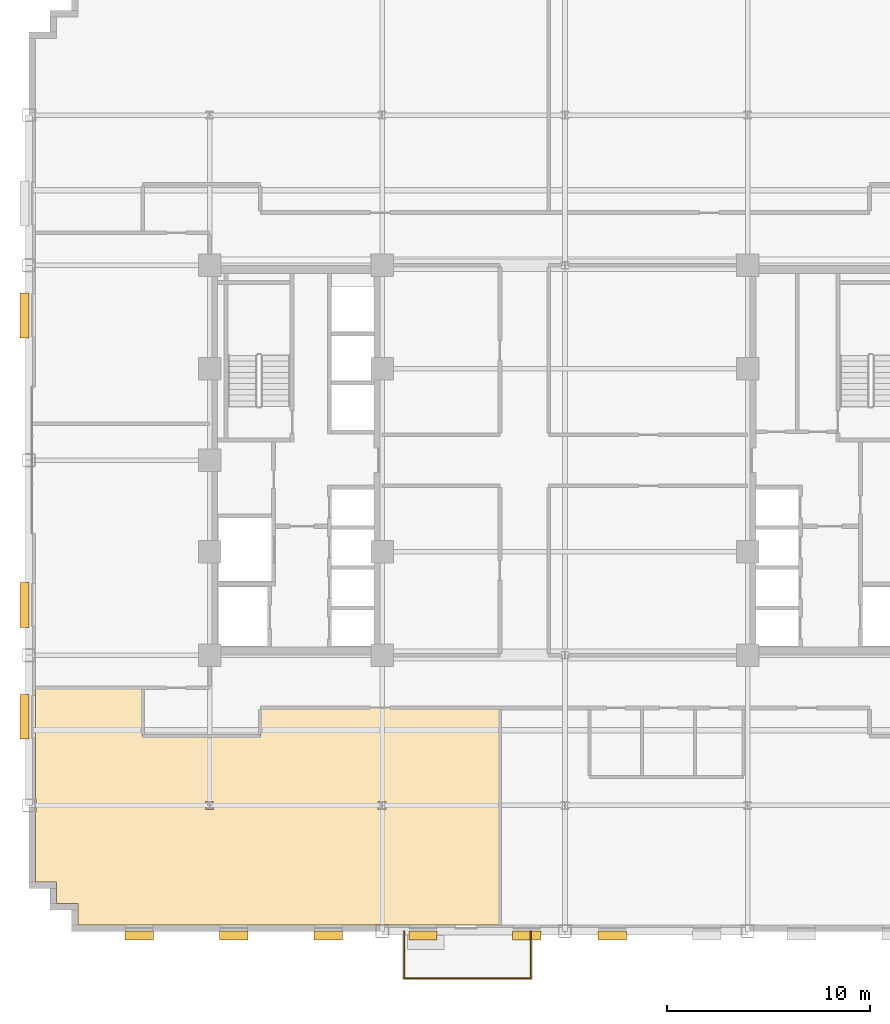
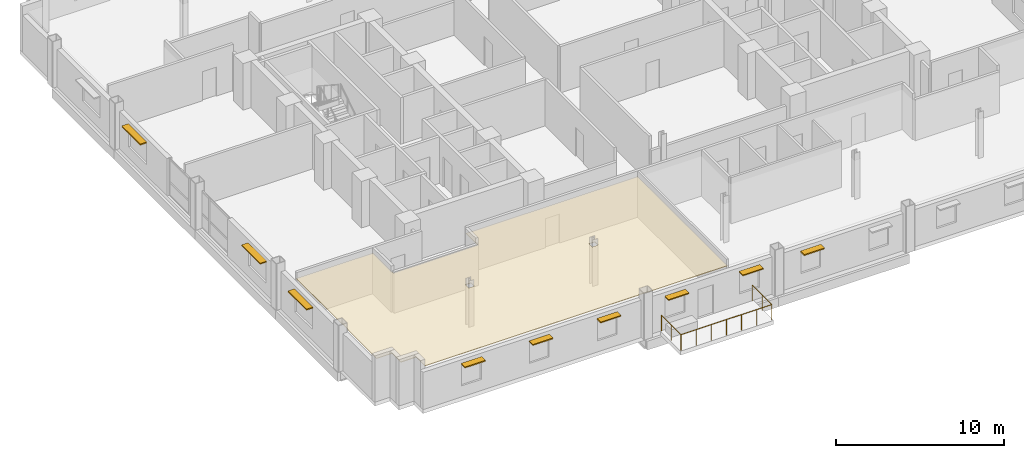
# One storey, part 13 of 17: 9 shading devices, 1 covering, 1 railing.
"""IFC4 building model written with IfcOpenShell, lengths in metres."""

from ifc_helpers import new_model, si_unit, direction, frame, origin, origin_2d, place, context, subcontext, project, spatial, polyline, rectangle, circle, outline, extrude, source, transform, mapped, material, layer, layer_set, type_object, type_shapes, element, save


model = new_model("IFC4")

# Units and contexts
model_context = context("Model", 3, precision=1e-05, world=origin(), true_north=direction((0.0, 1.0)))
body_context = subcontext(model_context, "Body", "Model", "MODEL_VIEW")
ifc_project = project(units=[si_unit("LENGTHUNIT", "METRE"), si_unit("AREAUNIT", "SQUARE_METRE"), si_unit("VOLUMEUNIT", "CUBIC_METRE"), si_unit("PLANEANGLEUNIT", "RADIAN"), si_unit("MASSUNIT", "GRAM", prefix="KILO")], contexts=[model_context])

# Site, building, storey
site_placement = place(None, origin())
site = spatial("IfcSite", under=ifc_project, at=site_placement, CompositionType="ELEMENT")
building_placement = place(site_placement, origin())
building = spatial("IfcBuilding", under=site, at=building_placement, Name="Nuvemarco Arch Tower", CompositionType="ELEMENT")
storey_placement = place(building_placement, frame((0.0, 0.0, 120.199951171875)))
storey = spatial("IfcBuildingStorey", under=building, at=storey_placement, Name="L31", CompositionType="ELEMENT", Elevation=120.199951171875)

# Covering
ifc_material_1 = material(Name="Mineral acoustic ceiling tile")
ifc_layer = layer(ifc_material_1, 0.0400390625, Name="COV-ACOUSTIC-CLG")
ifc_layer_set = layer_set([ifc_layer], Name="Mineral acoustic ceiling tile")
covering_type = type_object("IfcCoveringType", Name="COV-ACOUSTIC-CLG", PredefinedType="CEILING", material=ifc_layer_set)
covering_placement = place(storey_placement, frame((0.0, 0.0, 2.85009765625)))
element("IfcCovering", 1, at=covering_placement, inside=storey, type_object=covering_type, Name="L31 suspended acoustic ceiling 4", PredefinedType="CEILING", context=body_context, shape_type="SweptSolid", body=[
    extrude(outline(polyline([(-26.080078125, -20.780029296875), (-26.080078125, -17.340087890625), (-26.06005859375, -17.340087890625), (-26.06005859375, -16.659912109375), (-26.080078125, -16.659912109375), (-26.080078125, -11.199951171875), (-20.800048828125, -11.199951171875), (-20.800048828125, -13.60009765625), (-15.0, -13.60009765625), (-15.0, -12.199951171875), (-3.199951171875, -12.199951171875), (-3.199951171875, -22.8798828125), (-8.659912109375, -22.8798828125), (-8.659912109375, -22.860107421875), (-9.340087890625, -22.860107421875), (-9.340087890625, -22.8798828125), (-23.97998046875, -22.8798828125), (-23.97998046875, -21.830078125), (-25.030029296875, -21.830078125), (-25.030029296875, -20.780029296875), (-26.080078125, -20.780029296875)]), holes=[polyline([(-17.304931640625, -16.804931640625), (-17.695068359375, -16.804931640625), (-17.695068359375, -17.195068359375), (-17.304931640625, -17.195068359375), (-17.304931640625, -16.804931640625)]), polyline([(-8.804931640625, -17.195068359375), (-8.804931640625, -16.804931640625), (-9.195068359375, -16.804931640625), (-9.195068359375, -17.195068359375), (-8.804931640625, -17.195068359375)])]), origin(), (0.0, 0.0, 1.0), 0.0400390625),
])

# Railing
ifc_material_2 = material(Name="Dark anodised balustrade steel S355", Category="steel")
railing_type = type_object("IfcRailingType", Name="RL-TERR-GUARD", PredefinedType="BALUSTRADE", material=ifc_material_2)
railing_placement = place(storey_placement, frame((-7.919921875, -23.199951171875, 0.0)))
element("IfcRailing", 2, at=railing_placement, inside=storey, type_object=railing_type, Name="L31 spiral terrace perimeter balustrade guard", PredefinedType="BALUSTRADE", context=body_context, shape_type="SweptSolid", body=[
    extrude(circle(Radius=0.02392578125, at=origin_2d()), frame((0.0, 0.0, 1.1259765625), z_axis=(0.0, -1.0, 0.0), x_axis=(1.0, 0.0, 0.0)), (0.0, 0.0, 1.0), 2.320068359375),
    extrude(circle(Radius=0.02392578125, at=origin_2d()), frame((0.0, -2.320068359375, 1.1259765625), z_axis=(1.0, 0.0, 0.0), x_axis=(0.0, 1.0, 0.0)), (0.0, 0.0, 1.0), 6.239990234375),
    extrude(circle(Radius=0.02392578125, at=origin_2d()), frame((6.239990234375, -2.320068359375, 1.1259765625), z_axis=(0.0, 1.0, 0.0), x_axis=(-1.0, 0.0, 0.0)), (0.0, 0.0, 1.0), 2.320068359375),
    extrude(circle(Radius=0.02099609375, at=origin_2d()), origin(), (0.0, 0.0, 1.0), 1.101806640625),
    extrude(circle(Radius=0.02099609375, at=origin_2d()), frame((0.0, -1.16015625, 0.0)), (0.0, 0.0, 1.0), 1.101806640625),
    extrude(circle(Radius=0.02099609375, at=origin_2d()), frame((0.0, -2.320068359375, 0.0)), (0.0, 0.0, 1.0), 1.101806640625),
    extrude(circle(Radius=0.02099609375, at=origin_2d()), frame((1.0400390625, -2.320068359375, 0.0)), (0.0, 0.0, 1.0), 1.101806640625),
    extrude(circle(Radius=0.02099609375, at=origin_2d()), frame((2.080078125, -2.320068359375, 0.0)), (0.0, 0.0, 1.0), 1.101806640625),
    extrude(circle(Radius=0.02099609375, at=origin_2d()), frame((3.1201171875, -2.320068359375, 0.0)), (0.0, 0.0, 1.0), 1.101806640625),
    extrude(circle(Radius=0.02099609375, at=origin_2d()), frame((4.159912109375, -2.320068359375, 0.0)), (0.0, 0.0, 1.0), 1.101806640625),
    extrude(circle(Radius=0.02099609375, at=origin_2d()), frame((5.199951171875, -2.320068359375, 0.0)), (0.0, 0.0, 1.0), 1.101806640625),
    extrude(circle(Radius=0.02099609375, at=origin_2d()), frame((6.239990234375, -2.320068359375, 0.0)), (0.0, 0.0, 1.0), 1.101806640625),
    extrude(circle(Radius=0.02099609375, at=origin_2d()), frame((6.239990234375, -1.16015625, 0.0)), (0.0, 0.0, 1.0), 1.101806640625),
    extrude(circle(Radius=0.02099609375, at=origin_2d()), frame((6.239990234375, 0.0, 0.0)), (0.0, 0.0, 1.0), 1.101806640625),
])

# Shading devices
ifc_material_3 = material(Name="Anodised aluminium 6063-T6", Category="aluminium")
shading_device_type_1 = type_object("IfcShadingDeviceType", Name="SHD-BRISE-SOLEIL", PredefinedType="USERDEFINED", material=ifc_material_3)
shared_shape_1 = source(origin(), body_context, "Body", "SweptSolid", [
    extrude(rectangle(XDim=2.199951171875, YDim=0.449951171875, at=origin_2d()), origin(), (0.0, 0.0, 1.0), 0.080078125),
])
type_shapes(shading_device_type_1, [shared_shape_1])
for number, where, z_axis, x_axis, name in (
    (3, (-26.614990234375, -12.64208984375, 2.364990234375), (0.0, 0.0, 1.0), (0.0, 1.0, 0.0), "L31 horizontal brise-soleil sunshade"),
    (4, (-26.614990234375, -7.130615234375, 2.364990234375), (0.0, 0.0, 1.0), (0.0, 1.0, 0.0), "L31 horizontal brise-soleil sunshade"),
    (5, (-26.614990234375, 7.130615234375, 2.364990234375), (0.0, 0.0, 1.0), (0.0, 1.0, 0.0), "L31 horizontal brise-soleil sunshade"),
):
    element("IfcShadingDevice", number, at=place(storey_placement, frame(where, z_axis=z_axis, x_axis=x_axis)), inside=storey, type_object=shading_device_type_1, Name=name, ObjectType="SUNSHADE", PredefinedType="USERDEFINED", context=body_context, shape_type="MappedRepresentation", body=[
        mapped(shared_shape_1, transform((0.0, 0.0, 0.0), scale=1.0)),
    ])
shading_device_type_2 = type_object("IfcShadingDeviceType", Name="SHD-BRISE-NARROW", PredefinedType="USERDEFINED", material=ifc_material_3)
shared_shape_2 = source(origin(), body_context, "Body", "SweptSolid", [
    extrude(rectangle(XDim=1.39990234375, YDim=0.449951171875, at=origin_2d()), origin(), (0.0, 0.0, 1.0), 0.080078125),
])
type_shapes(shading_device_type_2, [shared_shape_2])
for number, where, z_axis, x_axis, name in (
    (6, (-20.969970703125, -23.4150390625, 2.364990234375), (0.0, 0.0, 1.0), (1.0, 0.0, 0.0), "L31 horizontal brise-soleil sunshade"),
    (7, (-16.31005859375, -23.4150390625, 2.364990234375), (0.0, 0.0, 1.0), (1.0, 0.0, 0.0), "L31 horizontal brise-soleil sunshade"),
    (8, (-11.64990234375, -23.4150390625, 2.364990234375), (0.0, 0.0, 1.0), (1.0, 0.0, 0.0), "L31 horizontal brise-soleil sunshade"),
    (9, (-6.989990234375, -23.4150390625, 2.364990234375), (0.0, 0.0, 1.0), (1.0, 0.0, 0.0), "L31 horizontal brise-soleil sunshade"),
    (10, (-1.8798828125, -23.4150390625, 2.364990234375), (0.0, 0.0, 1.0), (1.0, 0.0, 0.0), "L31 horizontal brise-soleil sunshade"),
    (11, (2.330078125, -23.4150390625, 2.364990234375), (0.0, 0.0, 1.0), (1.0, 0.0, 0.0), "L31 horizontal brise-soleil sunshade"),
):
    element("IfcShadingDevice", number, at=place(storey_placement, frame(where, z_axis=z_axis, x_axis=x_axis)), inside=storey, type_object=shading_device_type_2, Name=name, ObjectType="SUNSHADE", PredefinedType="USERDEFINED", context=body_context, shape_type="MappedRepresentation", body=[
        mapped(shared_shape_2, transform((0.0, 0.0, 0.0), scale=1.0)),
    ])

save(model, "model.ifc")
